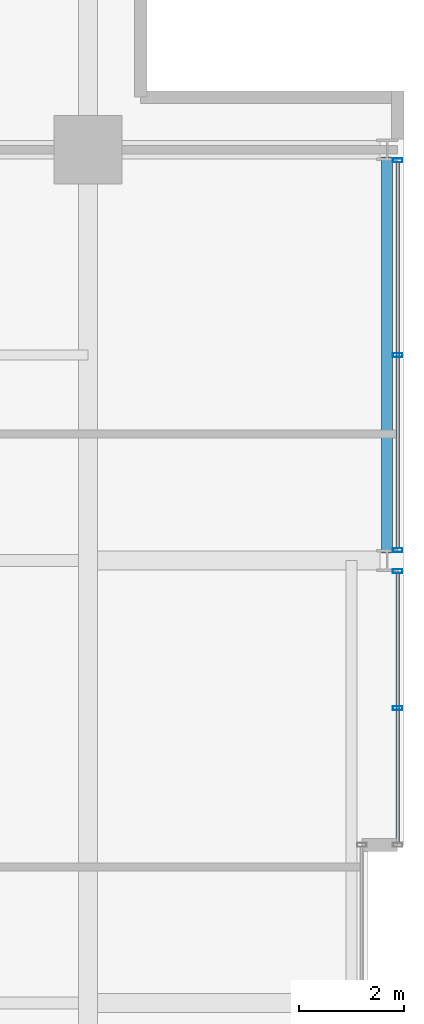
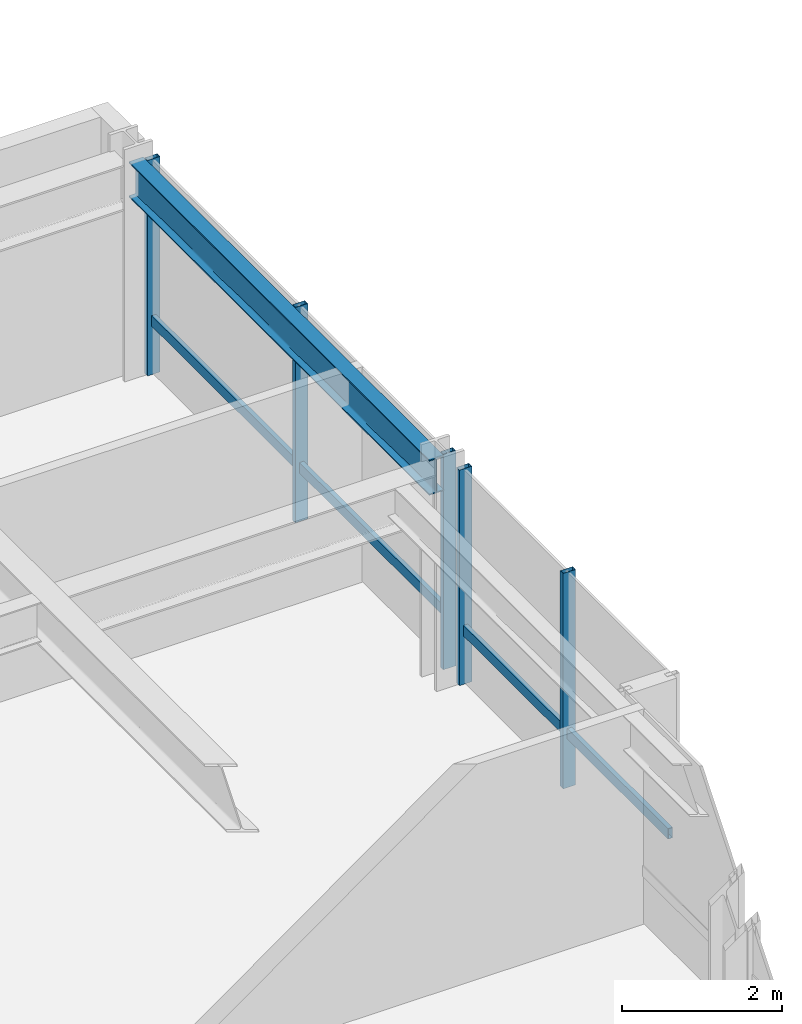
# One storey, part 24 of 33: 7 members, 1 beam, 2 elements without a shape of their own.
"""IFC4 building model written with IfcOpenShell, lengths in metres."""

import ifcopenshell
import ifcopenshell.guid

model = None  # the IFC model being written
_history = None  # IfcOwnerHistory: only IFC2X3 demands one
_inside = {}  # id of a spatial element -> (the spatial element, [elements in it])
_under = {}  # id of a project, library or spatial element -> (it, [spatial elements below it])
_declared = {}  # id of a project -> (the project, [libraries it declares])
_typed = {}  # id of a type object -> (the type object, [elements of that type])
_made_of = {}  # id of a material, layer set ... -> (it, [elements and type objects made of it])


def new_model(schema):
    """Start an empty IFC model of exactly this schema.

    Asked for "IFC4X3", IfcOpenShell would pick the latest addendum, in which some entities
    have other attributes; the version numbers below select the first issue.
    IFC2X3 requires an IfcOwnerHistory on every rooted entity: one is made here for all.
    """
    global model, _history
    if schema == "IFC4X3":
        model = ifcopenshell.file(schema_version=(4, 3, 0, 0))
    else:
        model = ifcopenshell.file(schema=schema)
    _inside.clear()
    _under.clear()
    _declared.clear()
    _typed.clear()
    _made_of.clear()
    _history = None
    if model.schema == "IFC2X3":
        org = make("IfcOrganization", Name="unknown")
        user = make(
            "IfcPersonAndOrganization",
            ThePerson=make("IfcPerson", FamilyName="unknown"),
            TheOrganization=org,
        )
        app = make(
            "IfcApplication",
            ApplicationDeveloper=org,
            Version="unknown",
            ApplicationFullName="unknown",
            ApplicationIdentifier="unknown",
        )
        _history = make(
            "IfcOwnerHistory",
            OwningUser=user,
            OwningApplication=app,
            ChangeAction="ADDED",
            CreationDate=0,
        )
    return model


def make(cls, **values):
    """One entity of the class cls with the attributes given. An attribute that is None is left unset."""
    return model.create_entity(
        cls, **{name: value for name, value in values.items() if value is not None}
    )


def rooted(cls, **values):
    """An entity with a GlobalId (a new one), such as an element, a storey or a relation."""
    return make(cls, GlobalId=ifcopenshell.guid.new(), OwnerHistory=_history, **values)


def si_unit(unit_type, name, prefix=None):
    """IfcSIUnit, for example si_unit("LENGTHUNIT", "METRE", prefix="MILLI")."""
    return make("IfcSIUnit", UnitType=unit_type, Prefix=prefix, Name=name)


def assignment(units):
    """IfcUnitAssignment: the units of a project."""
    return None if units is None else make("IfcUnitAssignment", Units=units)


def point(xyz):
    """IfcCartesianPoint."""
    return None if xyz is None else make("IfcCartesianPoint", Coordinates=xyz)


def direction(xyz):
    """IfcDirection."""
    return None if xyz is None else make("IfcDirection", DirectionRatios=xyz)


def frame(location, z_axis=None, x_axis=None):
    """IfcAxis2Placement3D, a coordinate frame: its origin and axes. An axis left out is left unset."""
    return make(
        "IfcAxis2Placement3D",
        Location=point(location),
        Axis=direction(z_axis),
        RefDirection=direction(x_axis),
    )


def frame_2d(location, x_axis=None):
    """IfcAxis2Placement2D, a coordinate frame in the plane: its origin and x axis."""
    return make(
        "IfcAxis2Placement2D", Location=point(location), RefDirection=direction(x_axis)
    )


def origin():
    """The frame at (0, 0, 0) with its axes left unset."""
    return frame((0.0, 0.0, 0.0))


def origin_2d():
    """The frame at (0, 0) in the plane with its x axis left unset."""
    return frame_2d((0.0, 0.0))


def place(relative_to, where):
    """IfcLocalPlacement: puts the frame where relative to a parent placement (None: the world)."""
    return make(
        "IfcLocalPlacement", PlacementRelTo=relative_to, RelativePlacement=where
    )


def context(
    kind, dimensions, precision=None, world=None, true_north=None, identifier=None
):
    """IfcGeometricRepresentationContext, for example the 3D "Model" context."""
    return make(
        "IfcGeometricRepresentationContext",
        ContextIdentifier=identifier,
        ContextType=kind,
        CoordinateSpaceDimension=dimensions,
        Precision=precision,
        WorldCoordinateSystem=world,
        TrueNorth=true_north,
    )


def subcontext(parent, identifier, kind, view, scale=None):
    """IfcGeometricRepresentationSubContext, for example "Body" below "Model"."""
    return make(
        "IfcGeometricRepresentationSubContext",
        ContextIdentifier=identifier,
        ContextType=kind,
        ParentContext=parent,
        TargetScale=scale,
        TargetView=view,
    )


def project(units=None, contexts=None):
    """IfcProject with its units and contexts."""
    return rooted(
        "IfcProject",
        Name="project",
        RepresentationContexts=contexts,
        UnitsInContext=assignment(units),
    )


def spatial(cls, under=None, at=None, **own):
    """A site, building, storey or space (cls), placed at a placement, below another one or the project."""
    s = rooted(cls, ObjectPlacement=at, **own)
    if under is not None:
        _under.setdefault(under.id(), (under, []))[1].append(s)
    return s


def profile(cls, at=None, kind="AREA", **sizes):
    """A parametric profile (cls). Its sizes go by their IFC names, for example OverallWidth=200.0."""
    return make(cls, ProfileType=kind, Position=at, **sizes)


def hollow_rectangle(**sizes):
    """IfcRectangleHollowProfileDef."""
    return profile("IfcRectangleHollowProfileDef", **sizes)


def i_section(**sizes):
    """IfcIShapeProfileDef."""
    return profile("IfcIShapeProfileDef", **sizes)


def extrude(swept, where, along, depth):
    """IfcExtrudedAreaSolid: the profile swept, set in the frame where, extruded along a direction by depth."""
    return make(
        "IfcExtrudedAreaSolid",
        SweptArea=swept,
        Position=where,
        ExtrudedDirection=direction(along),
        Depth=depth,
    )


def shape(context_of_items, identifier, shape_type, items):
    """IfcShapeRepresentation: the items that make up one representation, for example the "Body"."""
    return make(
        "IfcShapeRepresentation",
        ContextOfItems=context_of_items,
        RepresentationIdentifier=identifier,
        RepresentationType=shape_type,
        Items=items,
    )


def material(Name=None, Category=None):
    """IfcMaterial."""
    return make("IfcMaterial", Name=Name, Category=Category)


def layer(
    of_material, thickness, ventilated=None, Name=None, Category=None, Priority=None
):
    """IfcMaterialLayer: one layer of a wall or slab, of a material (None: an air gap)."""
    return make(
        "IfcMaterialLayer",
        Material=of_material,
        LayerThickness=thickness,
        IsVentilated=ventilated,
        Name=Name,
        Category=Category,
        Priority=Priority,
    )


def layer_set(layers, Name=None):
    """IfcMaterialLayerSet."""
    return make("IfcMaterialLayerSet", MaterialLayers=layers, LayerSetName=Name)


def material_profile(
    of_material, cross_section, Name=None, Category=None, Priority=None
):
    """IfcMaterialProfile: a cross section and its material."""
    return make(
        "IfcMaterialProfile",
        Name=Name,
        Material=of_material,
        Profile=cross_section,
        Priority=Priority,
        Category=Category,
    )


def profile_set(profiles, Name=None, composite=None):
    """IfcMaterialProfileSet."""
    return make(
        "IfcMaterialProfileSet",
        Name=Name,
        MaterialProfiles=profiles,
        CompositeProfile=composite,
    )


def made_of(thing, what):
    """Note that an element or type object is made of a material, layer set ...; save() writes the relation."""
    if what is not None:
        _made_of.setdefault(what.id(), (what, []))[1].append(thing)
    return thing


def type_object(cls, material=None, **own):
    """A type object (cls), such as IfcWallType, which elements share."""
    return made_of(rooted(cls, **own), material)


def element(
    cls,
    number,
    at=None,
    inside=None,
    cuts=None,
    type_object=None,
    material=None,
    context=None,
    identifier="Body",
    shape_type=None,
    held_by="IfcProductDefinitionShape",
    body=None,
    shapes=None,
    **own,
):
    """One element of the class cls, such as IfcWall. Its Tag is "e" and its number.

    at: its placement. inside: the storey or other place that contains it. cuts: it is an
    opening in that element (IfcRelVoidsElement). A single representation is given by context,
    identifier, shape_type and body (its items); several are given by shapes. held_by: the class
    of the entity that holds the representations. save() writes the other relations.
    """
    e = rooted(cls, Tag="e%d" % number, ObjectPlacement=at, **own)
    if body is not None:
        shapes = [shape(context, identifier, shape_type, body)]
    if shapes is not None:
        e.Representation = make(held_by, Representations=shapes)
    if inside is not None:
        _inside.setdefault(inside.id(), (inside, []))[1].append(e)
    if cuts is not None:
        rooted(
            "IfcRelVoidsElement", RelatingBuildingElement=cuts, RelatedOpeningElement=e
        )
    if type_object is not None:
        _typed.setdefault(type_object.id(), (type_object, []))[1].append(e)
    return made_of(e, material)


def aggregate(whole, parts):
    """IfcRelAggregates: a whole, such as a stair, and the parts it consists of."""
    return rooted("IfcRelAggregates", RelatingObject=whole, RelatedObjects=parts)


def save(model, path):
    """Write the relations noted so far, then the file.

    IfcRelAggregates (storeys below a building ...), IfcRelContainedInSpatialStructure (elements
    in a storey), IfcRelDefinesByType, IfcRelAssociatesMaterial and IfcRelDeclares: one each for
    every whole, place, type object, material and project.
    """
    for whole, parts in _under.values():
        aggregate(whole, parts)
    for where, things in _inside.values():
        rooted(
            "IfcRelContainedInSpatialStructure",
            RelatedElements=things,
            RelatingStructure=where,
        )
    for kind, things in _typed.values():
        rooted("IfcRelDefinesByType", RelatedObjects=things, RelatingType=kind)
    for what, things in _made_of.values():
        rooted("IfcRelAssociatesMaterial", RelatedObjects=things, RelatingMaterial=what)
    for by, libraries in _declared.values():
        rooted("IfcRelDeclares", RelatingContext=by, RelatedDefinitions=libraries)
    model.write(path)


model = new_model("IFC4")

# Units and contexts
model_context = context("Model", 3, precision=1e-05, world=origin(), true_north=direction((0.0, 1.0)))
body_context = subcontext(model_context, "Body", "Model", "MODEL_VIEW")
ifc_project = project(units=[si_unit("LENGTHUNIT", "METRE"), si_unit("AREAUNIT", "SQUARE_METRE"), si_unit("VOLUMEUNIT", "CUBIC_METRE"), si_unit("PLANEANGLEUNIT", "RADIAN"), si_unit("MASSUNIT", "GRAM", prefix="KILO")], contexts=[model_context])

# Site, building, storey
site_placement = place(None, origin())
site = spatial("IfcSite", under=ifc_project, at=site_placement, CompositionType="ELEMENT")
building_placement = place(site_placement, origin())
building = spatial("IfcBuilding", under=site, at=building_placement, Name="Drelvath Grand Hotel", CompositionType="ELEMENT")
storey_placement = place(building_placement, frame((0.0, 0.0, 171.699951171875)))
storey = spatial("IfcBuildingStorey", under=building, at=storey_placement, Name="L44", CompositionType="ELEMENT", Elevation=171.699951171875)

# Curtain wall, member
ifc_material_1 = material(Name="Brushed Pale-Silver Anodised Aluminium Frame", Category="aluminium")
ifc_layer = layer(ifc_material_1, 0.199951171875)
ifc_layer_set = layer_set([ifc_layer], Name="Brushed Pale-Silver Anodised Aluminium Frame")
curtain_wall_type = type_object("IfcCurtainWallType", Name="Stick Curtain Wall CW-04 Brushed Silver Upper-Mid", PredefinedType="NOTDEFINED", material=ifc_layer_set)
curtain_wall_1_placement = place(storey_placement, origin())
curtain_wall_1 = element("IfcCurtainWall", 1, at=curtain_wall_1_placement, inside=storey, type_object=curtain_wall_type, Name="L44 CW-04 Curtain Wall CW04-L44-EN1", PredefinedType="NOTDEFINED")
ifc_material_profile_1 = material_profile(ifc_material_1, hollow_rectangle(XDim=0.06494140625, YDim=0.159912109375, WallThickness=0.00390625, at=origin_2d()), Name="HSS160X65X4")
ifc_profile_set_1 = profile_set([ifc_material_profile_1], Name="Brushed Pale-Silver Anodised Aluminium Frame")
member_type_1 = type_object("IfcMemberType", Name="Curtain Wall Horizontal Transom CW-04 HSS160X65X4", PredefinedType="USERDEFINED", material=ifc_profile_set_1)
member_1_placement = place(storey_placement, frame((22.080078125, 35.159912109375, 0.822509765625), z_axis=(0.0, -1.0, 0.0), x_axis=(1.0, 0.0, 0.0)))
member_1 = element("IfcMember", 2, at=member_1_placement, type_object=member_type_1, Name="CW04-L44-EN1 Sill Transom", ObjectType="TRANSOM", PredefinedType="USERDEFINED", context=body_context, shape_type="SweptSolid", body=[
    extrude(hollow_rectangle(XDim=0.06494140625, YDim=0.159912109375, WallThickness=0.00390625, at=origin_2d()), origin(), (0.0, 0.0, 1.0), 5.119873046875),
])

curtain_wall_2_placement = place(storey_placement, origin())
curtain_wall_2 = element("IfcCurtainWall", 3, at=curtain_wall_2_placement, inside=storey, type_object=curtain_wall_type, Name="L44 CW-04 Curtain Wall CW04-L44-EN2", PredefinedType="NOTDEFINED")
member_2_placement = place(storey_placement, frame((22.080078125, 42.9599609375, 0.822509765625), z_axis=(0.0, -1.0, 0.0), x_axis=(1.0, 0.0, 0.0)))
member_2 = element("IfcMember", 4, at=member_2_placement, type_object=member_type_1, Name="CW04-L44-EN2 Sill Transom", ObjectType="TRANSOM", PredefinedType="USERDEFINED", context=body_context, shape_type="SweptSolid", body=[
    extrude(hollow_rectangle(XDim=0.06494140625, YDim=0.159912109375, WallThickness=0.00390625, at=origin_2d()), origin(), (0.0, 0.0, 1.0), 7.320068359375),
])

# Member
ifc_material_profile_2 = material_profile(ifc_material_1, hollow_rectangle(XDim=0.074951171875, YDim=0.179931640625, WallThickness=0.0048828125, at=origin_2d()), Name="HSS180X75X5")
ifc_profile_set_2 = profile_set([ifc_material_profile_2], Name="Brushed Pale-Silver Anodised Aluminium Frame")
member_type_2 = type_object("IfcMemberType", Name="Curtain Wall Vertical Mullion CW-04 HSS180X75X5", PredefinedType="MULLION", material=ifc_profile_set_2)
member_3_placement = place(storey_placement, frame((22.080078125, 35.199951171875, 0.0), z_axis=(0.0, 0.0, 1.0), x_axis=(0.0, 1.0, 0.0)))
member_3 = element("IfcMember", 5, at=member_3_placement, type_object=member_type_2, Name="CW04-L44-EN1 Mullion 1", PredefinedType="MULLION", context=body_context, shape_type="SweptSolid", body=[
    extrude(hollow_rectangle(XDim=0.074951171875, YDim=0.179931640625, WallThickness=0.0048828125, at=origin_2d()), origin(), (0.0, 0.0, 1.0), 3.2900390625),
])

member_4_placement = place(storey_placement, frame((22.080078125, 32.60009765625, 0.0), z_axis=(0.0, 0.0, 1.0), x_axis=(0.0, 1.0, 0.0)))
member_4 = element("IfcMember", 6, at=member_4_placement, type_object=member_type_2, Name="CW04-L44-EN1 Mullion 2", PredefinedType="MULLION", context=body_context, shape_type="SweptSolid", body=[
    extrude(hollow_rectangle(XDim=0.074951171875, YDim=0.179931640625, WallThickness=0.0048828125, at=origin_2d()), origin(), (0.0, 0.0, 1.0), 3.2900390625),
])

aggregate(curtain_wall_1, [member_3, member_4, member_1])

member_5_placement = place(storey_placement, frame((22.080078125, 43.0, 0.0), z_axis=(0.0, 0.0, 1.0), x_axis=(0.0, 1.0, 0.0)))
member_5 = element("IfcMember", 7, at=member_5_placement, type_object=member_type_2, Name="CW04-L44-EN2 Mullion 1", PredefinedType="MULLION", context=body_context, shape_type="SweptSolid", body=[
    extrude(hollow_rectangle(XDim=0.074951171875, YDim=0.179931640625, WallThickness=0.0048828125, at=origin_2d()), origin(), (0.0, 0.0, 1.0), 3.2900390625),
])

member_6_placement = place(storey_placement, frame((22.080078125, 39.300048828125, 0.0), z_axis=(0.0, 0.0, 1.0), x_axis=(0.0, 1.0, 0.0)))
member_6 = element("IfcMember", 8, at=member_6_placement, type_object=member_type_2, Name="CW04-L44-EN2 Mullion 2", PredefinedType="MULLION", context=body_context, shape_type="SweptSolid", body=[
    extrude(hollow_rectangle(XDim=0.074951171875, YDim=0.179931640625, WallThickness=0.0048828125, at=origin_2d()), origin(), (0.0, 0.0, 1.0), 3.2900390625),
])

member_7_placement = place(storey_placement, frame((22.080078125, 35.60009765625, 0.0), z_axis=(0.0, 0.0, 1.0), x_axis=(0.0, 1.0, 0.0)))
member_7 = element("IfcMember", 9, at=member_7_placement, type_object=member_type_2, Name="CW04-L44-EN2 Mullion 3", PredefinedType="MULLION", context=body_context, shape_type="SweptSolid", body=[
    extrude(hollow_rectangle(XDim=0.074951171875, YDim=0.179931640625, WallThickness=0.0048828125, at=origin_2d()), origin(), (0.0, 0.0, 1.0), 3.2900390625),
])

aggregate(curtain_wall_2, [member_5, member_6, member_7, member_2])

# Beam
ifc_material_2 = material(Name="Steel ASTM A992 Gr 50", Category="steel")
ifc_material_profile_3 = material_profile(ifc_material_2, i_section(OverallWidth=0.210205078125, OverallDepth=0.53662109375, WebThickness=0.010986328125, FlangeThickness=0.017333984375, FilletRadius=0.01806640625, at=origin_2d()), Name="W21X68")
ifc_profile_set_3 = profile_set([ifc_material_profile_3], Name="Steel ASTM A992 Gr 50")
beam_type = type_object("IfcBeamType", Name="Perimeter Spandrel Beam W21X68", PredefinedType="SPANDREL", material=ifc_profile_set_3)
beam_placement = place(storey_placement, frame((21.8798828125, 35.5400390625, 3.021728515625), z_axis=(0.0, 1.0, 0.0), x_axis=(-1.0, 0.0, 0.0)))
element("IfcBeam", 10, at=beam_placement, inside=storey, type_object=beam_type, Name="L44 Spandrel East N", PredefinedType="SPANDREL", context=body_context, shape_type="SweptSolid", body=[
    extrude(i_section(OverallWidth=0.210205078125, OverallDepth=0.53662109375, WebThickness=0.010986328125, FlangeThickness=0.017333984375, FilletRadius=0.01806640625, at=origin_2d()), origin(), (0.0, 0.0, 1.0), 7.52001953125),
])

save(model, "model.ifc")
